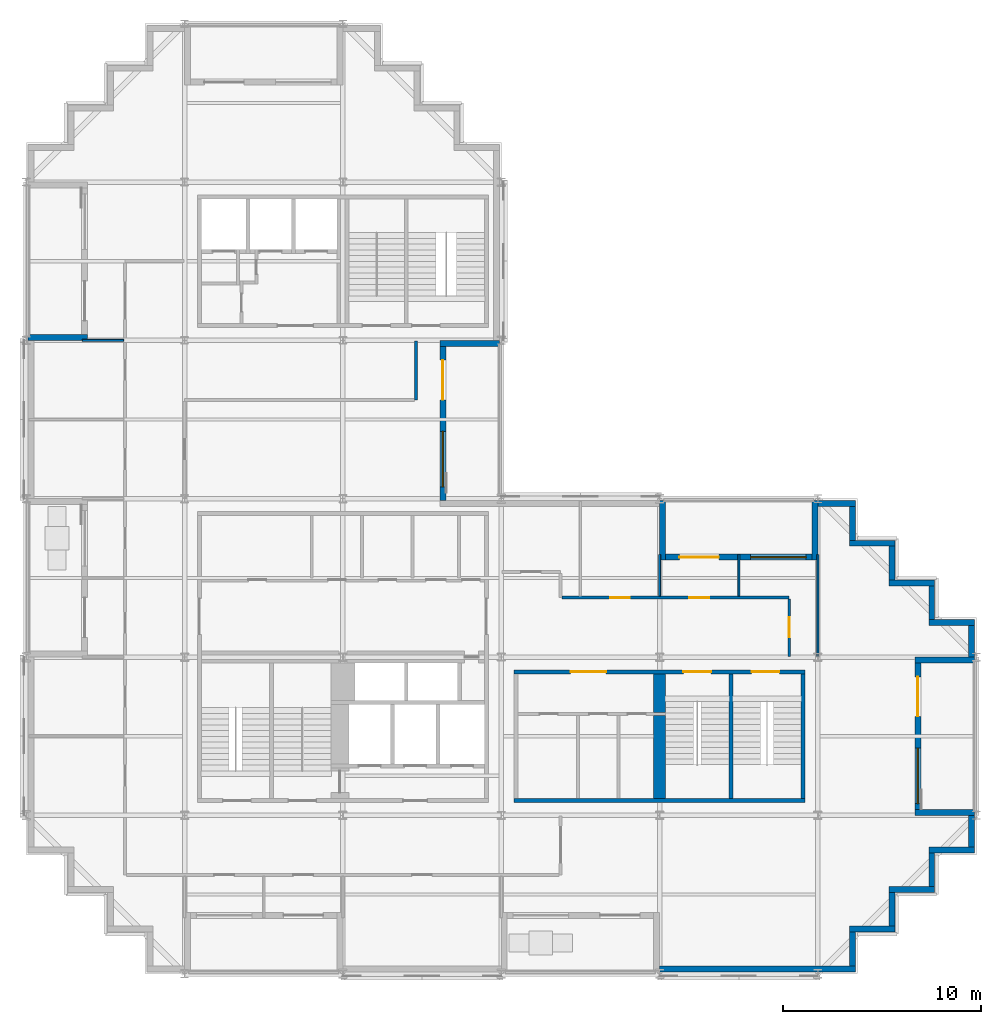
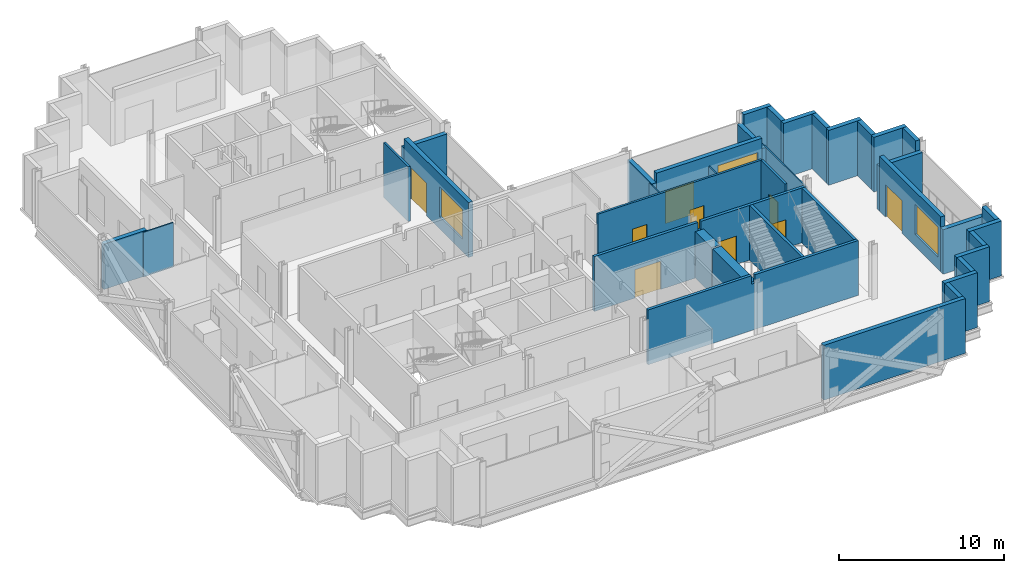
# One storey, part 7 of 12: 38 walls, 9 doors, 3 windows, 12 openings.
"""IFC4 building model written with IfcOpenShell, lengths in metres."""

from ifc_helpers import new_model, si_unit, direction, frame, frame_2d, origin, place, context, subcontext, project, spatial, polyline, rectangle, outline, extrude, material, layer, layer_set, type_object, element, fill, save


model = new_model("IFC4")

# Units and contexts
model_context = context("Model", 3, precision=1e-05, world=origin(), true_north=direction((0.0, 1.0)))
body_context = subcontext(model_context, "Body", "Model", "MODEL_VIEW")
ifc_project = project(units=[si_unit("LENGTHUNIT", "METRE"), si_unit("AREAUNIT", "SQUARE_METRE"), si_unit("VOLUMEUNIT", "CUBIC_METRE"), si_unit("PLANEANGLEUNIT", "RADIAN"), si_unit("MASSUNIT", "GRAM", prefix="KILO")], contexts=[model_context])

# Site, building, storey
site_placement = place(None, origin())
site = spatial("IfcSite", under=ifc_project, at=site_placement, CompositionType="ELEMENT")
building_placement = place(site_placement, origin())
building = spatial("IfcBuilding", under=site, at=building_placement, Name="Immortelle Media Tower", CompositionType="ELEMENT")
storey_placement = place(building_placement, frame((0.0, 0.0, 136.800048828125)))
storey = spatial("IfcBuildingStorey", under=building, at=storey_placement, Name="L27", CompositionType="ELEMENT", Elevation=136.800048828125)

# Wall, opening, door
ifc_material_1 = material(Name="Fire-rated gypsum board", Category="gypsum")
ifc_layer_1 = layer(ifc_material_1, 0.012451171875)
ifc_material_2 = material(Name="Steel ASTM A653 SS Gr 50 stud frame with mineral wool", Category="steel")
ifc_layer_2 = layer(ifc_material_2, 0.125)
ifc_layer_3 = layer(ifc_material_1, 0.012451171875)
ifc_layer_set_1 = layer_set([ifc_layer_1, ifc_layer_2, ifc_layer_3], Name="Steel ASTM A653 SS Gr 50 stud frame with mineral wool")
wall_type_1 = type_object("IfcWallType", Name="Corridor wall 150", PredefinedType="PARTITIONING", material=ifc_layer_set_1)
wall_1_placement = place(storey_placement, frame((38.550048828125, 16.030029296875, 0.0), z_axis=(0.0, 0.0, 1.0), x_axis=(0.0, 1.0, 0.0)))
wall_1 = element("IfcWall", 1, at=wall_1_placement, inside=storey, type_object=wall_type_1, Name="Partition L27-010", PredefinedType="PARTITIONING", context=body_context, shape_type="SweptSolid", body=[
    extrude(rectangle(XDim=2.89501953125, YDim=0.14990234375, at=frame_2d((1.447509765625, 0.0))), origin(), (0.0, 0.0, 1.0), 4.050048828125),
])
opening_1_placement = place(wall_1_placement, frame((1.969970703125, 0.0, 0.0), z_axis=(0.0, 0.0, 1.0), x_axis=(-1.0, 0.0, 0.0)))
opening_1 = element("IfcOpeningElement", 2, at=opening_1_placement, cuts=wall_1, Name="Opening C2-F008", PredefinedType="OPENING", context=body_context, shape_type="SweptSolid", body=[
    extrude(rectangle(XDim=1.0, YDim=2.10009765625, at=frame_2d((0.5, 1.050048828125))), frame((0.0, 0.0849609375, 0.0), z_axis=(0.0, -1.0, 0.0), x_axis=(1.0, 0.0, 0.0)), (0.0, 0.0, 1.0), 0.169921875),
])
ifc_material_3 = material(Name="Timber veneered door leaf, galvanised steel frame ASTM A653", Category="steel")
door_type_1 = type_object("IfcDoorType", Name="Room door 1000 x 2100", OperationType="NOTDEFINED", PredefinedType="DOOR", material=ifc_material_3)
door_1_placement = place(opening_1_placement, origin())
door_1 = element("IfcDoor", 3, at=door_1_placement, inside=storey, type_object=door_type_1, Name="Door C2-F008", OperationType="SINGLE_SWING_RIGHT", OverallHeight=2.10009765625, OverallWidth=1.0, PredefinedType="DOOR", context=body_context, shape_type="SweptSolid", body=[
    extrude(rectangle(XDim=1.0, YDim=2.10009765625, at=frame_2d((0.5, 1.050048828125))), frame((0.0, 0.02490234375, 0.0), z_axis=(0.0, -1.0, 0.0), x_axis=(1.0, 0.0, 0.0)), (0.0, 0.0, 1.0), 0.050048828125),
])
fill(opening_1, door_1)

# Wall, openings, doors
wall_2_placement = place(storey_placement, frame((27.074951171875, 19.0, 0.0), z_axis=(0.0, 0.0, 1.0), x_axis=(1.0, 0.0, 0.0)))
wall_2 = element("IfcWall", 4, at=wall_2_placement, inside=storey, type_object=wall_type_1, Name="Partition L27-012", PredefinedType="PARTITIONING", context=body_context, shape_type="SweptSolid", body=[
    extrude(rectangle(XDim=11.47509765625, YDim=0.14990234375, at=frame_2d((5.737548828125, 0.0))), origin(), (0.0, 0.0, 1.0), 4.050048828125),
])
opening_2_placement = place(wall_2_placement, frame((6.425048828125, 0.0, 0.0)))
opening_2 = element("IfcOpeningElement", 5, at=opening_2_placement, cuts=wall_2, Name="Opening C2-F007", PredefinedType="OPENING", context=body_context, shape_type="SweptSolid", body=[
    extrude(rectangle(XDim=1.0, YDim=2.10009765625, at=frame_2d((0.5, 1.050048828125))), frame((0.0, 0.0849609375, 0.0), z_axis=(0.0, -1.0, 0.0), x_axis=(1.0, 0.0, 0.0)), (0.0, 0.0, 1.0), 0.169921875),
])
opening_3_placement = place(wall_2_placement, frame((2.425048828125, 0.0, 0.0)))
opening_3 = element("IfcOpeningElement", 6, at=opening_3_placement, cuts=wall_2, Name="Opening C2-F012", PredefinedType="OPENING", context=body_context, shape_type="SweptSolid", body=[
    extrude(rectangle(XDim=1.0, YDim=2.10009765625, at=frame_2d((0.5, 1.050048828125))), frame((0.0, 0.0849609375, 0.0), z_axis=(0.0, -1.0, 0.0), x_axis=(1.0, 0.0, 0.0)), (0.0, 0.0, 1.0), 0.169921875),
])
door_2_placement = place(opening_2_placement, origin())
door_2 = element("IfcDoor", 7, at=door_2_placement, inside=storey, type_object=door_type_1, Name="Door C2-F007", OperationType="SINGLE_SWING_LEFT", OverallHeight=2.10009765625, OverallWidth=1.0, PredefinedType="DOOR", context=body_context, shape_type="SweptSolid", body=[
    extrude(rectangle(XDim=1.0, YDim=2.10009765625, at=frame_2d((0.5, 1.050048828125))), frame((0.0, 0.02490234375, 0.0), z_axis=(0.0, -1.0, 0.0), x_axis=(1.0, 0.0, 0.0)), (0.0, 0.0, 1.0), 0.050048828125),
])
fill(opening_2, door_2)
door_3_placement = place(opening_3_placement, origin())
door_3 = element("IfcDoor", 8, at=door_3_placement, inside=storey, type_object=door_type_1, Name="Door C2-F012", OperationType="SINGLE_SWING_LEFT", OverallHeight=2.10009765625, OverallWidth=1.0, PredefinedType="DOOR", context=body_context, shape_type="SweptSolid", body=[
    extrude(rectangle(XDim=1.0, YDim=2.10009765625, at=frame_2d((0.5, 1.050048828125))), frame((0.0, 0.02490234375, 0.0), z_axis=(0.0, -1.0, 0.0), x_axis=(1.0, 0.0, 0.0)), (0.0, 0.0, 1.0), 0.050048828125),
])
fill(opening_3, door_3)

# Walls
wall_3_placement = place(storey_placement, frame((19.699951171875, 29.0, 0.0), z_axis=(0.0, 0.0, 1.0), x_axis=(0.0, 1.0, 0.0)))
element("IfcWall", 9, at=wall_3_placement, inside=storey, type_object=wall_type_1, Name="Partition L27-023", PredefinedType="PARTITIONING", context=body_context, shape_type="SweptSolid", body=[
    extrude(rectangle(XDim=2.969970703125, YDim=0.14990234375, at=frame_2d((1.48486328125, 0.0))), origin(), (0.0, 0.0, 1.0), 4.050048828125),
])
ifc_material_4 = material(Name="Pale aluminium cladding panel", Category="aluminium")
ifc_layer_4 = layer(ifc_material_4, 0.030029296875)
ifc_layer_5 = layer(ifc_material_2, 0.257568359375)
ifc_material_5 = material(Name="Moisture-resistant gypsum board", Category="gypsum")
ifc_layer_6 = layer(ifc_material_5, 0.012451171875)
ifc_layer_set_2 = layer_set([ifc_layer_4, ifc_layer_5, ifc_layer_6], Name="Steel ASTM A653 SS Gr 50 stud frame with mineral wool")
wall_type_2 = type_object("IfcWallType", Name="Facade wall 300", PredefinedType="SOLIDWALL", material=ifc_layer_set_2)
wall_4_placement = place(storey_placement, frame((32.0, 0.25, 0.0), z_axis=(0.0, 0.0, 1.0), x_axis=(1.0, 0.0, 0.0)))
element("IfcWall", 10, at=wall_4_placement, inside=storey, type_object=wall_type_2, Name="Facade wall L27 S6", PredefinedType="SOLIDWALL", context=body_context, shape_type="SweptSolid", body=[
    extrude(rectangle(XDim=9.89990234375, YDim=0.300048828125, at=frame_2d((4.949951171875, 0.0))), origin(), (0.0, 0.0, 1.0), 4.050048828125),
])
wall_5_placement = place(storey_placement, frame((41.75, 0.39990234375, 0.0), z_axis=(0.0, 0.0, 1.0), x_axis=(0.0, 1.0, 0.0)))
element("IfcWall", 11, at=wall_5_placement, inside=storey, type_object=wall_type_2, Name="Facade wall L27 E7", PredefinedType="SOLIDWALL", context=body_context, shape_type="SweptSolid", body=[
    extrude(rectangle(XDim=1.7001953125, YDim=0.300048828125, at=frame_2d((0.85009765625, 0.0))), origin(), (0.0, 0.0, 1.0), 4.050048828125),
])
wall_6_placement = place(storey_placement, frame((41.60009765625, 2.25, 0.0), z_axis=(0.0, 0.0, 1.0), x_axis=(1.0, 0.0, 0.0)))
element("IfcWall", 12, at=wall_6_placement, inside=storey, type_object=wall_type_2, Name="Facade wall L27 S8", PredefinedType="SOLIDWALL", context=body_context, shape_type="SweptSolid", body=[
    extrude(rectangle(XDim=2.2998046875, YDim=0.300048828125, at=frame_2d((1.14990234375, 0.0))), origin(), (0.0, 0.0, 1.0), 4.050048828125),
])
wall_7_placement = place(storey_placement, frame((43.75, 2.39990234375, 0.0), z_axis=(0.0, 0.0, 1.0), x_axis=(0.0, 1.0, 0.0)))
element("IfcWall", 13, at=wall_7_placement, inside=storey, type_object=wall_type_2, Name="Facade wall L27 E9", PredefinedType="SOLIDWALL", context=body_context, shape_type="SweptSolid", body=[
    extrude(rectangle(XDim=1.7001953125, YDim=0.300048828125, at=frame_2d((0.85009765625, 0.0))), origin(), (0.0, 0.0, 1.0), 4.050048828125),
])
wall_8_placement = place(storey_placement, frame((43.60009765625, 4.25, 0.0), z_axis=(0.0, 0.0, 1.0), x_axis=(1.0, 0.0, 0.0)))
element("IfcWall", 14, at=wall_8_placement, inside=storey, type_object=wall_type_2, Name="Facade wall L27 S10", PredefinedType="SOLIDWALL", context=body_context, shape_type="SweptSolid", body=[
    extrude(rectangle(XDim=2.2998046875, YDim=0.300048828125, at=frame_2d((1.14990234375, 0.0))), origin(), (0.0, 0.0, 1.0), 4.050048828125),
])
wall_9_placement = place(storey_placement, frame((45.75, 4.39990234375, 0.0), z_axis=(0.0, 0.0, 1.0), x_axis=(0.0, 1.0, 0.0)))
element("IfcWall", 15, at=wall_9_placement, inside=storey, type_object=wall_type_2, Name="Facade wall L27 E11", PredefinedType="SOLIDWALL", context=body_context, shape_type="SweptSolid", body=[
    extrude(rectangle(XDim=1.7001953125, YDim=0.300048828125, at=frame_2d((0.85009765625, 0.0))), origin(), (0.0, 0.0, 1.0), 4.050048828125),
])
wall_10_placement = place(storey_placement, frame((45.60009765625, 6.25, 0.0), z_axis=(0.0, 0.0, 1.0), x_axis=(1.0, 0.0, 0.0)))
element("IfcWall", 16, at=wall_10_placement, inside=storey, type_object=wall_type_2, Name="Facade wall L27 S12", PredefinedType="SOLIDWALL", context=body_context, shape_type="SweptSolid", body=[
    extrude(rectangle(XDim=2.2998046875, YDim=0.300048828125, at=frame_2d((1.14990234375, 0.0))), origin(), (0.0, 0.0, 1.0), 4.050048828125),
])
wall_11_placement = place(storey_placement, frame((47.75, 6.39990234375, 0.0), z_axis=(0.0, 0.0, 1.0), x_axis=(0.0, 1.0, 0.0)))
element("IfcWall", 17, at=wall_11_placement, inside=storey, type_object=wall_type_2, Name="Facade wall L27 E13", PredefinedType="SOLIDWALL", context=body_context, shape_type="SweptSolid", body=[
    extrude(rectangle(XDim=1.60009765625, YDim=0.300048828125, at=frame_2d((0.800048828125, 0.0))), origin(), (0.0, 0.0, 1.0), 4.050048828125),
])

# Wall, openings, door, window
wall_12_placement = place(storey_placement, frame((45.050048828125, 8.300048828125, 0.0), z_axis=(0.0, 0.0, 1.0), x_axis=(0.0, 1.0, 0.0)))
wall_12 = element("IfcWall", 18, at=wall_12_placement, inside=storey, type_object=wall_type_2, Name="Loggia wall L27 E13", PredefinedType="SOLIDWALL", context=body_context, shape_type="SweptSolid", body=[
    extrude(rectangle(XDim=7.39990234375, YDim=0.300048828125, at=frame_2d((3.699951171875, 0.0))), origin(), (0.0, 0.0, 1.0), 4.050048828125),
])
opening_4_placement = place(wall_12_placement, frame((0.300048828125, 0.0, 0.89990234375)))
opening_4 = element("IfcOpeningElement", 19, at=opening_4_placement, cuts=wall_12, Name="Opening W1", PredefinedType="OPENING", context=body_context, shape_type="SweptSolid", body=[
    extrude(rectangle(XDim=2.800048828125, YDim=2.199951171875, at=frame_2d((1.39990234375, 1.10009765625))), frame((0.0, 0.159912109375, 0.0), z_axis=(0.0, -1.0, 0.0), x_axis=(1.0, 0.0, 0.0)), (0.0, 0.0, 1.0), 0.320068359375),
])
opening_5_placement = place(wall_12_placement, frame((4.699951171875, 0.0, 0.0)))
opening_5 = element("IfcOpeningElement", 20, at=opening_5_placement, cuts=wall_12, Name="Opening C2-E003", PredefinedType="OPENING", context=body_context, shape_type="SweptSolid", body=[
    extrude(rectangle(XDim=2.0, YDim=2.39990234375, at=frame_2d((1.0, 1.199951171875))), frame((0.0, 0.159912109375, 0.0), z_axis=(0.0, -1.0, 0.0), x_axis=(1.0, 0.0, 0.0)), (0.0, 0.0, 1.0), 0.320068359375),
])
ifc_material_6 = material(Name="Aluminium frame, glazed leaves", Category="aluminium")
door_type_2 = type_object("IfcDoorType", Name="Loggia door 2000 x 2400", OperationType="DOUBLE_DOOR_SINGLE_SWING", PredefinedType="DOOR", material=ifc_material_6)
door_4_placement = place(opening_5_placement, origin())
door_4 = element("IfcDoor", 21, at=door_4_placement, inside=storey, type_object=door_type_2, Name="Door C2-E003", OperationType="DOUBLE_DOOR_SINGLE_SWING", OverallHeight=2.39990234375, OverallWidth=2.0, PredefinedType="DOOR", context=body_context, shape_type="SweptSolid", body=[
    extrude(rectangle(XDim=2.0, YDim=2.39990234375, at=frame_2d((1.0, 1.199951171875))), frame((0.0, 0.02490234375, 0.0), z_axis=(0.0, -1.0, 0.0), x_axis=(1.0, 0.0, 0.0)), (0.0, 0.0, 1.0), 0.050048828125),
])
fill(opening_5, door_4)
ifc_material_7 = material(Name="Aluminium frame", Category="aluminium")
window_type = type_object("IfcWindowType", Name="Window 2800 x 2200", PartitioningType="SINGLE_PANEL", PredefinedType="WINDOW", material=ifc_material_7)
window_1_placement = place(opening_4_placement, origin())
window_1 = element("IfcWindow", 22, at=window_1_placement, inside=storey, type_object=window_type, Name="Window L27 L27-R13-B0", OverallHeight=2.199951171875, OverallWidth=2.800048828125, PartitioningType="SINGLE_PANEL", PredefinedType="WINDOW", context=body_context, shape_type="SweptSolid", body=[
    extrude(rectangle(XDim=2.800048828125, YDim=2.199951171875, at=frame_2d((1.39990234375, 1.10009765625))), frame((0.0, 0.030029296875, 0.0), z_axis=(0.0, -1.0, 0.0), x_axis=(1.0, 0.0, 0.0)), (0.0, 0.0, 1.0), 0.06005859375),
])
fill(opening_4, window_1)

# Walls
for number, where, z_axis, x_axis, name in (
    (23, (47.89990234375, 8.14990234375, 0.0), (0.0, 0.0, 1.0), (-1.0, 0.0, 0.0), "Loggia cheek wall L27 E"),
    (24, (47.89990234375, 15.85009765625, 0.0), (0.0, 0.0, 1.0), (-1.0, 0.0, 0.0), "Loggia cheek wall L27 E"),
):
    element("IfcWall", number, at=place(storey_placement, frame(where, z_axis=z_axis, x_axis=x_axis)), inside=storey, type_object=wall_type_2, Name=name, PredefinedType="SOLIDWALL", context=body_context, shape_type="SweptSolid", body=[
        extrude(rectangle(XDim=3.0, YDim=0.300048828125, at=frame_2d((1.5, 0.0))), origin(), (0.0, 0.0, 1.0), 3.286865234375),
    ])
wall_13_placement = place(storey_placement, frame((47.75, 16.0, 0.0), z_axis=(0.0, 0.0, 1.0), x_axis=(0.0, 1.0, 0.0)))
element("IfcWall", 25, at=wall_13_placement, inside=storey, type_object=wall_type_2, Name="Facade wall L27 E13", PredefinedType="SOLIDWALL", context=body_context, shape_type="SweptSolid", body=[
    extrude(rectangle(XDim=1.60009765625, YDim=0.300048828125, at=frame_2d((0.800048828125, 0.0))), origin(), (0.0, 0.0, 1.0), 4.050048828125),
])
wall_14_placement = place(storey_placement, frame((47.89990234375, 17.75, 0.0), z_axis=(0.0, 0.0, 1.0), x_axis=(-1.0, 0.0, 0.0)))
element("IfcWall", 26, at=wall_14_placement, inside=storey, type_object=wall_type_2, Name="Facade wall L27 N14", PredefinedType="SOLIDWALL", context=body_context, shape_type="SweptSolid", body=[
    extrude(rectangle(XDim=2.2998046875, YDim=0.300048828125, at=frame_2d((1.14990234375, 0.0))), origin(), (0.0, 0.0, 1.0), 4.050048828125),
])
wall_15_placement = place(storey_placement, frame((45.75, 17.89990234375, 0.0), z_axis=(0.0, 0.0, 1.0), x_axis=(0.0, 1.0, 0.0)))
element("IfcWall", 27, at=wall_15_placement, inside=storey, type_object=wall_type_2, Name="Facade wall L27 E15", PredefinedType="SOLIDWALL", context=body_context, shape_type="SweptSolid", body=[
    extrude(rectangle(XDim=1.7001953125, YDim=0.300048828125, at=frame_2d((0.85009765625, 0.0))), origin(), (0.0, 0.0, 1.0), 4.050048828125),
])
wall_16_placement = place(storey_placement, frame((45.89990234375, 19.75, 0.0), z_axis=(0.0, 0.0, 1.0), x_axis=(-1.0, 0.0, 0.0)))
element("IfcWall", 28, at=wall_16_placement, inside=storey, type_object=wall_type_2, Name="Facade wall L27 N16", PredefinedType="SOLIDWALL", context=body_context, shape_type="SweptSolid", body=[
    extrude(rectangle(XDim=2.2998046875, YDim=0.300048828125, at=frame_2d((1.14990234375, 0.0))), origin(), (0.0, 0.0, 1.0), 4.050048828125),
])
wall_17_placement = place(storey_placement, frame((43.75, 19.89990234375, 0.0), z_axis=(0.0, 0.0, 1.0), x_axis=(0.0, 1.0, 0.0)))
element("IfcWall", 29, at=wall_17_placement, inside=storey, type_object=wall_type_2, Name="Facade wall L27 E17", PredefinedType="SOLIDWALL", context=body_context, shape_type="SweptSolid", body=[
    extrude(rectangle(XDim=1.7001953125, YDim=0.300048828125, at=frame_2d((0.85009765625, 0.0))), origin(), (0.0, 0.0, 1.0), 4.050048828125),
])
wall_18_placement = place(storey_placement, frame((43.89990234375, 21.75, 0.0), z_axis=(0.0, 0.0, 1.0), x_axis=(-1.0, 0.0, 0.0)))
element("IfcWall", 30, at=wall_18_placement, inside=storey, type_object=wall_type_2, Name="Facade wall L27 N18", PredefinedType="SOLIDWALL", context=body_context, shape_type="SweptSolid", body=[
    extrude(rectangle(XDim=2.2998046875, YDim=0.300048828125, at=frame_2d((1.14990234375, 0.0))), origin(), (0.0, 0.0, 1.0), 4.050048828125),
])
wall_19_placement = place(storey_placement, frame((41.75, 21.89990234375, 0.0), z_axis=(0.0, 0.0, 1.0), x_axis=(0.0, 1.0, 0.0)))
element("IfcWall", 31, at=wall_19_placement, inside=storey, type_object=wall_type_2, Name="Facade wall L27 E19", PredefinedType="SOLIDWALL", context=body_context, shape_type="SweptSolid", body=[
    extrude(rectangle(XDim=1.7001953125, YDim=0.300048828125, at=frame_2d((0.85009765625, 0.0))), origin(), (0.0, 0.0, 1.0), 4.050048828125),
])
wall_20_placement = place(storey_placement, frame((41.89990234375, 23.75, 0.0), z_axis=(0.0, 0.0, 1.0), x_axis=(-1.0, 0.0, 0.0)))
element("IfcWall", 32, at=wall_20_placement, inside=storey, type_object=wall_type_2, Name="Facade wall L27 N20", PredefinedType="SOLIDWALL", context=body_context, shape_type="SweptSolid", body=[
    extrude(rectangle(XDim=1.89990234375, YDim=0.300048828125, at=frame_2d((0.949951171875, 0.0))), origin(), (0.0, 0.0, 1.0), 4.050048828125),
])

# Wall, openings, door, window
wall_21_placement = place(storey_placement, frame((39.699951171875, 21.050048828125, 0.0), z_axis=(0.0, 0.0, 1.0), x_axis=(-1.0, 0.0, 0.0)))
wall_21 = element("IfcWall", 33, at=wall_21_placement, inside=storey, type_object=wall_type_2, Name="Loggia wall L27 N20", PredefinedType="SOLIDWALL", context=body_context, shape_type="SweptSolid", body=[
    extrude(rectangle(XDim=7.39990234375, YDim=0.300048828125, at=frame_2d((3.699951171875, 0.0))), origin(), (0.0, 0.0, 1.0), 4.050048828125),
])
opening_6_placement = place(wall_21_placement, frame((0.300048828125, 0.0, 0.89990234375)))
opening_6 = element("IfcOpeningElement", 34, at=opening_6_placement, cuts=wall_21, Name="Opening W1", PredefinedType="OPENING", context=body_context, shape_type="SweptSolid", body=[
    extrude(rectangle(XDim=2.800048828125, YDim=2.199951171875, at=frame_2d((1.39990234375, 1.10009765625))), frame((0.0, 0.159912109375, 0.0), z_axis=(0.0, -1.0, 0.0), x_axis=(1.0, 0.0, 0.0)), (0.0, 0.0, 1.0), 0.320068359375),
])
opening_7_placement = place(wall_21_placement, frame((4.699951171875, 0.0, 0.0)))
opening_7 = element("IfcOpeningElement", 35, at=opening_7_placement, cuts=wall_21, Name="Opening C2-E004", PredefinedType="OPENING", context=body_context, shape_type="SweptSolid", body=[
    extrude(rectangle(XDim=2.0, YDim=2.39990234375, at=frame_2d((1.0, 1.199951171875))), frame((0.0, 0.159912109375, 0.0), z_axis=(0.0, -1.0, 0.0), x_axis=(1.0, 0.0, 0.0)), (0.0, 0.0, 1.0), 0.320068359375),
])
door_5_placement = place(opening_7_placement, origin())
door_5 = element("IfcDoor", 36, at=door_5_placement, inside=storey, type_object=door_type_2, Name="Door C2-E004", OperationType="DOUBLE_DOOR_SINGLE_SWING", OverallHeight=2.39990234375, OverallWidth=2.0, PredefinedType="DOOR", context=body_context, shape_type="SweptSolid", body=[
    extrude(rectangle(XDim=2.0, YDim=2.39990234375, at=frame_2d((1.0, 1.199951171875))), frame((0.0, 0.02490234375, 0.0), z_axis=(0.0, -1.0, 0.0), x_axis=(1.0, 0.0, 0.0)), (0.0, 0.0, 1.0), 0.050048828125),
])
fill(opening_7, door_5)
window_2_placement = place(opening_6_placement, origin())
window_2 = element("IfcWindow", 37, at=window_2_placement, inside=storey, type_object=window_type, Name="Window L27 L27-R20-B0", OverallHeight=2.199951171875, OverallWidth=2.800048828125, PartitioningType="SINGLE_PANEL", PredefinedType="WINDOW", context=body_context, shape_type="SweptSolid", body=[
    extrude(rectangle(XDim=2.800048828125, YDim=2.199951171875, at=frame_2d((1.39990234375, 1.10009765625))), frame((0.0, 0.030029296875, 0.0), z_axis=(0.0, -1.0, 0.0), x_axis=(1.0, 0.0, 0.0)), (0.0, 0.0, 1.0), 0.06005859375),
])
fill(opening_6, window_2)

# Walls
wall_22_placement = place(storey_placement, frame((39.85009765625, 23.89990234375, 0.0), z_axis=(0.0, 0.0, 1.0), x_axis=(0.0, -1.0, 0.0)))
element("IfcWall", 38, at=wall_22_placement, inside=storey, type_object=wall_type_2, Name="Loggia cheek wall L27 N", PredefinedType="SOLIDWALL", context=body_context, shape_type="SweptSolid", body=[
    extrude(rectangle(XDim=3.0, YDim=0.300048828125, at=frame_2d((1.5, 0.0))), origin(), (0.0, 0.0, 1.0), 3.286865234375),
])
wall_23_placement = place(storey_placement, frame((32.14990234375, 23.89990234375, 0.0), z_axis=(0.0, 0.0, 1.0), x_axis=(0.0, -1.0, 0.0)))
element("IfcWall", 39, at=wall_23_placement, inside=storey, type_object=wall_type_2, Name="Loggia cheek wall L27 N", PredefinedType="SOLIDWALL", context=body_context, shape_type="SweptSolid", body=[
    extrude(rectangle(XDim=3.0, YDim=0.300048828125, at=frame_2d((1.5, 0.0))), origin(), (0.0, 0.0, 1.0), 3.35595703125),
])

# Wall, openings, door, window
wall_24_placement = place(storey_placement, frame((21.050048828125, 23.89990234375, 0.0), z_axis=(0.0, 0.0, 1.0), x_axis=(0.0, 1.0, 0.0)))
wall_24 = element("IfcWall", 40, at=wall_24_placement, inside=storey, type_object=wall_type_2, Name="Loggia wall L27 E21", PredefinedType="SOLIDWALL", context=body_context, shape_type="SweptSolid", body=[
    extrude(rectangle(XDim=7.800048828125, YDim=0.300048828125, at=frame_2d((3.89990234375, 0.0))), origin(), (0.0, 0.0, 1.0), 4.050048828125),
])
opening_8_placement = place(wall_24_placement, frame((0.699951171875, 0.0, 0.89990234375)))
opening_8 = element("IfcOpeningElement", 41, at=opening_8_placement, cuts=wall_24, Name="Opening W1", PredefinedType="OPENING", context=body_context, shape_type="SweptSolid", body=[
    extrude(rectangle(XDim=2.800048828125, YDim=2.199951171875, at=frame_2d((1.39990234375, 1.10009765625))), frame((0.0, 0.159912109375, 0.0), z_axis=(0.0, -1.0, 0.0), x_axis=(1.0, 0.0, 0.0)), (0.0, 0.0, 1.0), 0.320068359375),
])
opening_9_placement = place(wall_24_placement, frame((5.10009765625, 0.0, 0.0)))
opening_9 = element("IfcOpeningElement", 42, at=opening_9_placement, cuts=wall_24, Name="Opening C2-E005", PredefinedType="OPENING", context=body_context, shape_type="SweptSolid", body=[
    extrude(rectangle(XDim=2.0, YDim=2.39990234375, at=frame_2d((1.0, 1.199951171875))), frame((0.0, 0.159912109375, 0.0), z_axis=(0.0, -1.0, 0.0), x_axis=(1.0, 0.0, 0.0)), (0.0, 0.0, 1.0), 0.320068359375),
])
door_6_placement = place(opening_9_placement, origin())
door_6 = element("IfcDoor", 43, at=door_6_placement, inside=storey, type_object=door_type_2, Name="Door C2-E005", OperationType="DOUBLE_DOOR_SINGLE_SWING", OverallHeight=2.39990234375, OverallWidth=2.0, PredefinedType="DOOR", context=body_context, shape_type="SweptSolid", body=[
    extrude(rectangle(XDim=2.0, YDim=2.39990234375, at=frame_2d((1.0, 1.199951171875))), frame((0.0, 0.02490234375, 0.0), z_axis=(0.0, -1.0, 0.0), x_axis=(1.0, 0.0, 0.0)), (0.0, 0.0, 1.0), 0.050048828125),
])
fill(opening_9, door_6)
window_3_placement = place(opening_8_placement, origin())
window_3 = element("IfcWindow", 44, at=window_3_placement, inside=storey, type_object=window_type, Name="Window L27 L27-R21-B0", OverallHeight=2.199951171875, OverallWidth=2.800048828125, PartitioningType="SINGLE_PANEL", PredefinedType="WINDOW", context=body_context, shape_type="SweptSolid", body=[
    extrude(rectangle(XDim=2.800048828125, YDim=2.199951171875, at=frame_2d((1.39990234375, 1.10009765625))), frame((0.0, 0.030029296875, 0.0), z_axis=(0.0, -1.0, 0.0), x_axis=(1.0, 0.0, 0.0)), (0.0, 0.0, 1.0), 0.06005859375),
])
fill(opening_8, window_3)

# Walls
for number, where, z_axis, x_axis, name in (
    (45, (23.89990234375, 31.85009765625, 0.0), (0.0, 0.0, 1.0), (-1.0, 0.0, 0.0), "Loggia cheek wall L27 E"),
    (46, (0.10009765625, 32.14990234375, 0.0), (0.0, 0.0, 1.0), (1.0, 0.0, 0.0), "Loggia cheek wall L27 W"),
):
    element("IfcWall", number, at=place(storey_placement, frame(where, z_axis=z_axis, x_axis=x_axis)), inside=storey, type_object=wall_type_2, Name=name, PredefinedType="SOLIDWALL", context=body_context, shape_type="SweptSolid", body=[
        extrude(rectangle(XDim=3.0, YDim=0.300048828125, at=frame_2d((1.5, 0.0))), origin(), (0.0, 0.0, 1.0), 3.35595703125),
    ])
ifc_material_8 = material(Name="Gypsum board", Category="gypsum")
ifc_layer_7 = layer(ifc_material_8, 0.012451171875)
ifc_layer_8 = layer(ifc_material_2, 0.074951171875)
ifc_layer_9 = layer(ifc_material_8, 0.012451171875)
ifc_layer_set_3 = layer_set([ifc_layer_7, ifc_layer_8, ifc_layer_9], Name="Steel ASTM A653 SS Gr 50 stud frame with mineral wool")
wall_type_3 = type_object("IfcWallType", Name="Partition 100", PredefinedType="PARTITIONING", material=ifc_layer_set_3)
wall_25_placement = place(storey_placement, frame((40.0, 16.030029296875, 0.0), z_axis=(0.0, 0.0, 1.0), x_axis=(0.0, 1.0, 0.0)))
element("IfcWall", 47, at=wall_25_placement, inside=storey, type_object=wall_type_3, Name="Partition L27-011", PredefinedType="PARTITIONING", context=body_context, shape_type="SweptSolid", body=[
    extrude(rectangle(XDim=5.139892578125, YDim=0.10009765625, at=frame_2d((2.56982421875, 0.0))), origin(), (0.0, 0.0, 1.0), 3.287841796875),
])
for number, where, z_axis, x_axis, name in (
    (48, (32.0, 19.074951171875, 0.0), (0.0, 0.0, 1.0), (0.0, 1.0, 0.0), "Partition L27-015"),
    (49, (36.0, 19.074951171875, 0.0), (0.0, 0.0, 1.0), (0.0, 1.0, 0.0), "Partition L27-016"),
    (50, (2.830078125, 32.0, 0.0), (0.0, 0.0, 1.0), (1.0, 0.0, 0.0), "Partition L27-024"),
):
    element("IfcWall", number, at=place(storey_placement, frame(where, z_axis=z_axis, x_axis=x_axis)), inside=storey, type_object=wall_type_3, Name=name, PredefinedType="PARTITIONING", context=body_context, shape_type="SweptSolid", body=[
        extrude(rectangle(XDim=2.094970703125, YDim=0.10009765625, at=frame_2d((1.04736328125, 0.0))), origin(), (0.0, 0.0, 1.0), 3.287841796875),
    ])
ifc_material_9 = material(Name="Concrete C60", Category="concrete")
ifc_layer_10 = layer(ifc_material_9, 0.199951171875)
ifc_layer_set_4 = layer_set([ifc_layer_10], Name="Concrete C60")
wall_type_4 = type_object("IfcWallType", Name="Stair shaft wall 200", PredefinedType="PARTITIONING", material=ifc_layer_set_4)
wall_26_placement = place(storey_placement, frame((24.64990234375, 8.75, 0.0), z_axis=(0.0, 0.0, 1.0), x_axis=(1.0, 0.0, 0.0)))
element("IfcWall", 51, at=wall_26_placement, inside=storey, type_object=wall_type_4, Name="Stair shaft wall SE", PredefinedType="PARTITIONING", context=body_context, shape_type="SweptSolid", body=[
    extrude(outline(polyline([(0.0, 0.0), (14.7001953125, 0.0), (14.699951171875, 4.050048828125), (7.469482421875, 4.050048828125), (7.468505859375, 3.431884765625), (7.2314453125, 3.431884765625), (7.23046875, 4.050048828125), (0.0, 4.050048828125), (0.0, 0.0)])), frame((0.0, 0.10009765625, 0.0), z_axis=(0.0, -1.0, 0.0), x_axis=(1.0, 0.0, 0.0)), (0.0, 0.0, 1.0), 0.199951171875),
])

# Wall, openings, doors
wall_27_placement = place(storey_placement, frame((24.64990234375, 15.25, 0.0), z_axis=(0.0, 0.0, 1.0), x_axis=(1.0, 0.0, 0.0)))
wall_27 = element("IfcWall", 52, at=wall_27_placement, inside=storey, type_object=wall_type_4, Name="Stair shaft wall SE", PredefinedType="PARTITIONING", context=body_context, shape_type="SweptSolid", body=[
    extrude(outline(polyline([(0.0, 0.0), (14.7001953125, 0.0), (14.699951171875, 4.050048828125), (7.469482421875, 4.050048828125), (7.468505859375, 3.431884765625), (7.2314453125, 3.431884765625), (7.23046875, 4.050048828125), (0.0, 4.050048828125), (0.0, 0.0)])), frame((0.0, 0.10009765625, 0.0), z_axis=(0.0, -1.0, 0.0), x_axis=(1.0, 0.0, 0.0)), (0.0, 0.0, 1.0), 0.199951171875),
])
opening_10_placement = place(wall_27_placement, frame((2.85009765625, 0.0, 0.0)))
opening_10 = element("IfcOpeningElement", 53, at=opening_10_placement, cuts=wall_27, Name="Opening C2-K017", PredefinedType="OPENING", context=body_context, shape_type="SweptSolid", body=[
    extrude(rectangle(XDim=1.800048828125, YDim=2.10009765625, at=frame_2d((0.89990234375, 1.050048828125))), frame((0.0, 0.10986328125, 0.0), z_axis=(0.0, -1.0, 0.0), x_axis=(1.0, 0.0, 0.0)), (0.0, 0.0, 1.0), 0.219970703125),
])
opening_11_placement = place(wall_27_placement, frame((9.949951171875, 0.0, 0.0), z_axis=(0.0, 0.0, 1.0), x_axis=(-1.0, 0.0, 0.0)))
opening_11 = element("IfcOpeningElement", 54, at=opening_11_placement, cuts=wall_27, Name="Opening C2-K020", PredefinedType="OPENING", context=body_context, shape_type="SweptSolid", body=[
    extrude(rectangle(XDim=1.39990234375, YDim=2.10009765625, at=frame_2d((0.699951171875, 1.050048828125))), frame((0.0, 0.10986328125, 0.0), z_axis=(0.0, -1.0, 0.0), x_axis=(1.0, 0.0, 0.0)), (0.0, 0.0, 1.0), 0.219970703125),
])
opening_12_placement = place(wall_27_placement, frame((13.39990234375, 0.0, 0.0), z_axis=(0.0, 0.0, 1.0), x_axis=(-1.0, 0.0, 0.0)))
opening_12 = element("IfcOpeningElement", 55, at=opening_12_placement, cuts=wall_27, Name="Opening C2-K021", PredefinedType="OPENING", context=body_context, shape_type="SweptSolid", body=[
    extrude(rectangle(XDim=1.39990234375, YDim=2.10009765625, at=frame_2d((0.699951171875, 1.050048828125))), frame((0.0, 0.10986328125, 0.0), z_axis=(0.0, -1.0, 0.0), x_axis=(1.0, 0.0, 0.0)), (0.0, 0.0, 1.0), 0.219970703125),
])
ifc_material_10 = material(Name="Galvanised steel door leaf and frame ASTM A653", Category="steel")
door_type_3 = type_object("IfcDoorType", Name="Lift lobby door 1800 x 2100", OperationType="DOUBLE_DOOR_SINGLE_SWING", PredefinedType="NOTDEFINED", material=ifc_material_10)
door_7_placement = place(opening_10_placement, origin())
door_7 = element("IfcDoor", 56, at=door_7_placement, inside=storey, type_object=door_type_3, Name="Lift lobby C2-K017", OperationType="DOUBLE_DOOR_SINGLE_SWING", OverallHeight=2.10009765625, OverallWidth=1.800048828125, PredefinedType="NOTDEFINED", context=body_context, shape_type="SweptSolid", body=[
    extrude(rectangle(XDim=1.800048828125, YDim=2.10009765625, at=frame_2d((0.89990234375, 1.050048828125))), frame((0.0, 0.02490234375, 0.0), z_axis=(0.0, -1.0, 0.0), x_axis=(1.0, 0.0, 0.0)), (0.0, 0.0, 1.0), 0.050048828125),
])
fill(opening_10, door_7)
door_type_4 = type_object("IfcDoorType", Name="Stair door 1400 x 2100", OperationType="DOUBLE_DOOR_SINGLE_SWING", PredefinedType="NOTDEFINED", material=ifc_material_10)
door_8_placement = place(opening_11_placement, origin())
door_8 = element("IfcDoor", 57, at=door_8_placement, inside=storey, type_object=door_type_4, Name="Stair C2-K020", OperationType="DOUBLE_DOOR_SINGLE_SWING", OverallHeight=2.10009765625, OverallWidth=1.39990234375, PredefinedType="NOTDEFINED", context=body_context, shape_type="SweptSolid", body=[
    extrude(rectangle(XDim=1.39990234375, YDim=2.10009765625, at=frame_2d((0.699951171875, 1.050048828125))), frame((0.0, 0.02490234375, 0.0), z_axis=(0.0, -1.0, 0.0), x_axis=(1.0, 0.0, 0.0)), (0.0, 0.0, 1.0), 0.050048828125),
])
fill(opening_11, door_8)
door_9_placement = place(opening_12_placement, origin())
door_9 = element("IfcDoor", 58, at=door_9_placement, inside=storey, type_object=door_type_4, Name="Stair C2-K021", OperationType="DOUBLE_DOOR_SINGLE_SWING", OverallHeight=2.10009765625, OverallWidth=1.39990234375, PredefinedType="NOTDEFINED", context=body_context, shape_type="SweptSolid", body=[
    extrude(rectangle(XDim=1.39990234375, YDim=2.10009765625, at=frame_2d((0.699951171875, 1.050048828125))), frame((0.0, 0.02490234375, 0.0), z_axis=(0.0, -1.0, 0.0), x_axis=(1.0, 0.0, 0.0)), (0.0, 0.0, 1.0), 0.050048828125),
])
fill(opening_12, door_9)

# Walls
for number, where, z_axis, x_axis, name in (
    (59, (35.60009765625, 8.85009765625, 0.0), (0.0, 0.0, 1.0), (0.0, 1.0, 0.0), "Stair shaft wall SE"),
    (60, (39.25, 8.85009765625, 0.0), (0.0, 0.0, 1.0), (0.0, 1.0, 0.0), "Stair shaft wall SE"),
):
    element("IfcWall", number, at=place(storey_placement, frame(where, z_axis=z_axis, x_axis=x_axis)), inside=storey, type_object=wall_type_4, Name=name, PredefinedType="PARTITIONING", context=body_context, shape_type="SweptSolid", body=[
        extrude(rectangle(XDim=6.2998046875, YDim=0.199951171875, at=frame_2d((3.14990234375, 0.0))), origin(), (0.0, 0.0, 1.0), 4.050048828125),
    ])
ifc_layer_11 = layer(ifc_material_9, 0.60009765625)
ifc_layer_set_5 = layer_set([ifc_layer_11], Name="Concrete C60")
wall_type_5 = type_object("IfcWallType", Name="Stair shaft wall 600", PredefinedType="PARTITIONING", material=ifc_layer_set_5)
wall_28_placement = place(storey_placement, frame((32.0, 8.85009765625, 0.0), z_axis=(0.0, 0.0, 1.0), x_axis=(0.0, 1.0, 0.0)))
element("IfcWall", 61, at=wall_28_placement, inside=storey, type_object=wall_type_5, Name="Stair shaft wall SE", PredefinedType="PARTITIONING", context=body_context, shape_type="SweptSolid", body=[
    extrude(rectangle(XDim=4.199951171875, YDim=0.60009765625, at=frame_2d((2.10009765625, 0.0))), origin(), (0.0, 0.0, 1.0), 3.431884765625),
])
wall_29_placement = place(storey_placement, frame((32.0, 13.199951171875, 0.0), z_axis=(0.0, 0.0, 1.0), x_axis=(0.0, 1.0, 0.0)))
element("IfcWall", 62, at=wall_29_placement, inside=storey, type_object=wall_type_5, Name="Stair shaft wall SE", PredefinedType="PARTITIONING", context=body_context, shape_type="SweptSolid", body=[
    extrude(rectangle(XDim=1.949951171875, YDim=0.60009765625, at=frame_2d((0.97509765625, 0.0))), origin(), (0.0, 0.0, 1.0), 3.431884765625),
])

save(model, "model.ifc")
